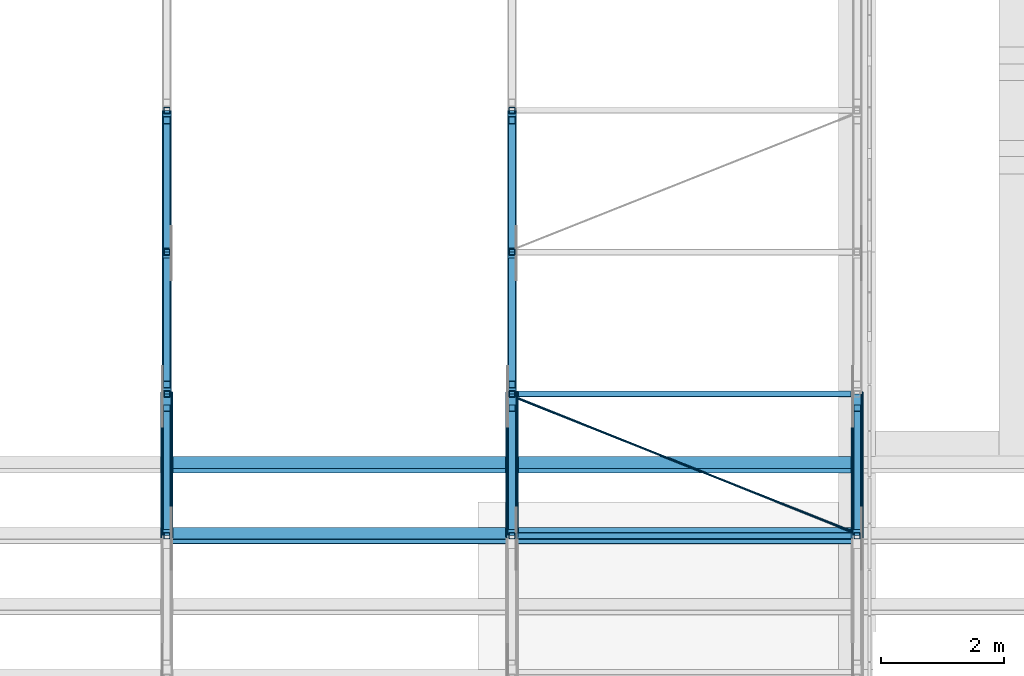
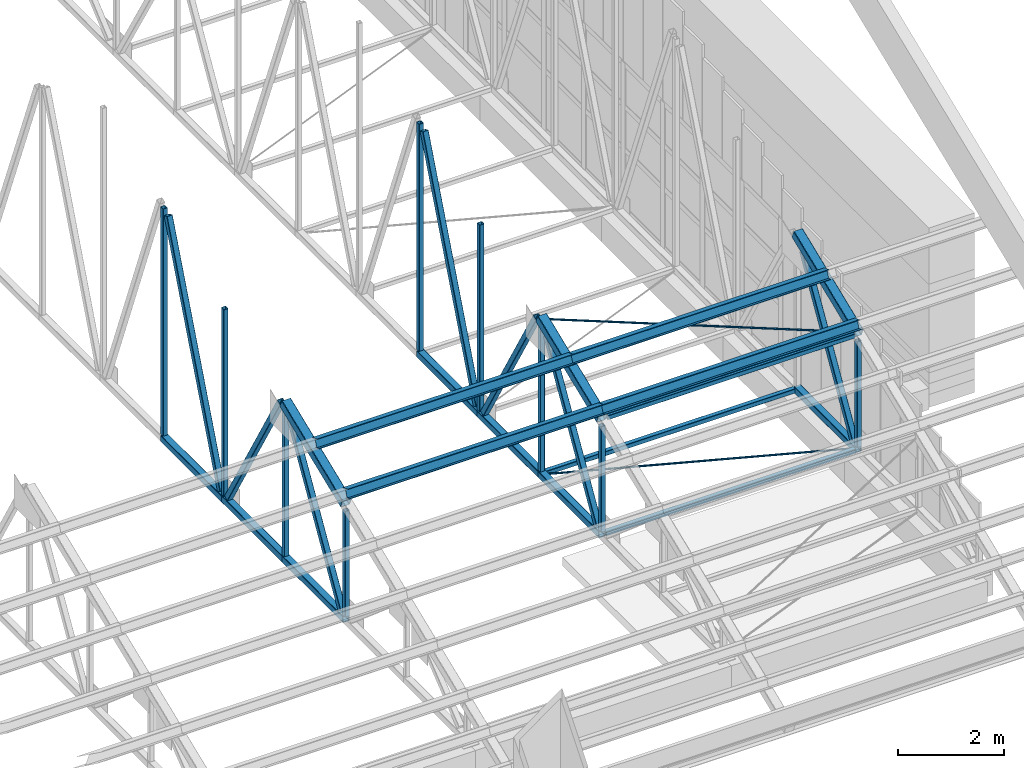
# One storey, part 23 of 71: 35 members.
"""IFC4 building model written with IfcOpenShell, lengths in metres."""

from ifc_helpers import new_model, si_unit, direction, frame, origin, origin_2d, place, context, subcontext, project, spatial, hollow_rectangle, circle, i_section, extrude, material, material_profile, profile_set, type_object, element, save


model = new_model("IFC4")

# Units and contexts
model_context = context("Model", 3, precision=1e-05, world=origin(), true_north=direction((0.0, 1.0)))
body_context = subcontext(model_context, "Body", "Model", "MODEL_VIEW")
ifc_project = project(units=[si_unit("LENGTHUNIT", "METRE"), si_unit("AREAUNIT", "SQUARE_METRE"), si_unit("VOLUMEUNIT", "CUBIC_METRE"), si_unit("PLANEANGLEUNIT", "RADIAN"), si_unit("MASSUNIT", "GRAM", prefix="KILO")], contexts=[model_context])

# Site, building, storey
site_placement = place(None, origin())
site = spatial("IfcSite", under=ifc_project, at=site_placement, CompositionType="ELEMENT")
building_placement = place(site_placement, origin())
building = spatial("IfcBuilding", under=site, at=building_placement, Name="Wasatch Bagh Community Centre", CompositionType="ELEMENT")
storey_placement = place(building_placement, frame((0.0, 0.0, 12.60009765625)))
storey = spatial("IfcBuildingStorey", under=building, at=storey_placement, Name="L03", CompositionType="ELEMENT", Elevation=12.60009765625)

# Members
ifc_material_1 = material(Name="ASTM A500 Grade C steel", Category="steel")
ifc_material_profile_1 = material_profile(ifc_material_1, hollow_rectangle(XDim=0.1015625, YDim=0.1015625, WallThickness=0.005859375, InnerFilletRadius=0.005859375, OuterFilletRadius=0.01171875, at=origin_2d()), Name="HSS4x4x1/4")
ifc_profile_set_1 = profile_set([ifc_material_profile_1], Name="ASTM A500 Grade C steel")
member_type_1 = type_object("IfcMemberType", Name="SH HSS4x4x1/4 post", PredefinedType="POST", material=ifc_profile_set_1)
member_1_placement = place(storey_placement, frame((134.60009765625, 42.800048828125, 0.76220703125), z_axis=(0.0, 0.0, 1.0), x_axis=(1.0, 0.0, 0.0)))
element("IfcMember", 1, at=member_1_placement, inside=storey, type_object=member_type_1, Name="SH.SA5.PS03", PredefinedType="POST", context=body_context, shape_type="SweptSolid", body=[
    extrude(hollow_rectangle(XDim=0.1015625, YDim=0.1015625, WallThickness=0.005859375, InnerFilletRadius=0.005859375, OuterFilletRadius=0.01171875, at=origin_2d()), origin(), (0.0, 0.0, 1.0), 2.44189453125),
])
member_2_placement = place(storey_placement, frame((134.60009765625, 45.10009765625, 0.76220703125), z_axis=(0.0, 0.0, 1.0), x_axis=(1.0, 0.0, 0.0)))
element("IfcMember", 2, at=member_2_placement, inside=storey, type_object=member_type_1, Name="SH.SA5.PS04", PredefinedType="POST", context=body_context, shape_type="SweptSolid", body=[
    extrude(hollow_rectangle(XDim=0.1015625, YDim=0.1015625, WallThickness=0.005859375, InnerFilletRadius=0.005859375, OuterFilletRadius=0.01171875, at=origin_2d()), origin(), (0.0, 0.0, 1.0), 3.37890625),
])
member_3_placement = place(storey_placement, frame((134.60009765625, 47.39990234375, 0.76220703125), z_axis=(0.0, 0.0, 1.0), x_axis=(1.0, 0.0, 0.0)))
element("IfcMember", 3, at=member_3_placement, inside=storey, type_object=member_type_1, Name="SH.SA5.PS05", PredefinedType="POST", context=body_context, shape_type="SweptSolid", body=[
    extrude(hollow_rectangle(XDim=0.1015625, YDim=0.1015625, WallThickness=0.005859375, InnerFilletRadius=0.005859375, OuterFilletRadius=0.01171875, at=origin_2d()), origin(), (0.0, 0.0, 1.0), 4.316162109375),
])
member_4_placement = place(storey_placement, frame((134.60009765625, 49.699951171875, 0.76220703125), z_axis=(0.0, 0.0, 1.0), x_axis=(1.0, 0.0, 0.0)))
element("IfcMember", 4, at=member_4_placement, inside=storey, type_object=member_type_1, Name="SH.SA5.PS06", PredefinedType="POST", context=body_context, shape_type="SweptSolid", body=[
    extrude(hollow_rectangle(XDim=0.1015625, YDim=0.1015625, WallThickness=0.005859375, InnerFilletRadius=0.005859375, OuterFilletRadius=0.01171875, at=origin_2d()), origin(), (0.0, 0.0, 1.0), 5.25341796875),
])
member_5_placement = place(storey_placement, frame((140.199951171875, 42.800048828125, 0.76220703125), z_axis=(0.0, 0.0, 1.0), x_axis=(1.0, 0.0, 0.0)))
element("IfcMember", 5, at=member_5_placement, inside=storey, type_object=member_type_1, Name="SH.SA6.PS03", PredefinedType="POST", context=body_context, shape_type="SweptSolid", body=[
    extrude(hollow_rectangle(XDim=0.1015625, YDim=0.1015625, WallThickness=0.005859375, InnerFilletRadius=0.005859375, OuterFilletRadius=0.01171875, at=origin_2d()), origin(), (0.0, 0.0, 1.0), 2.44189453125),
])
member_6_placement = place(storey_placement, frame((140.199951171875, 45.10009765625, 0.76220703125), z_axis=(0.0, 0.0, 1.0), x_axis=(1.0, 0.0, 0.0)))
element("IfcMember", 6, at=member_6_placement, inside=storey, type_object=member_type_1, Name="SH.SA6.PS04", PredefinedType="POST", context=body_context, shape_type="SweptSolid", body=[
    extrude(hollow_rectangle(XDim=0.1015625, YDim=0.1015625, WallThickness=0.005859375, InnerFilletRadius=0.005859375, OuterFilletRadius=0.01171875, at=origin_2d()), origin(), (0.0, 0.0, 1.0), 3.37890625),
])
member_7_placement = place(storey_placement, frame((140.199951171875, 47.39990234375, 0.76220703125), z_axis=(0.0, 0.0, 1.0), x_axis=(1.0, 0.0, 0.0)))
element("IfcMember", 7, at=member_7_placement, inside=storey, type_object=member_type_1, Name="SH.SA6.PS05", PredefinedType="POST", context=body_context, shape_type="SweptSolid", body=[
    extrude(hollow_rectangle(XDim=0.1015625, YDim=0.1015625, WallThickness=0.005859375, InnerFilletRadius=0.005859375, OuterFilletRadius=0.01171875, at=origin_2d()), origin(), (0.0, 0.0, 1.0), 4.316162109375),
])
member_8_placement = place(storey_placement, frame((140.199951171875, 49.699951171875, 0.76220703125), z_axis=(0.0, 0.0, 1.0), x_axis=(1.0, 0.0, 0.0)))
element("IfcMember", 8, at=member_8_placement, inside=storey, type_object=member_type_1, Name="SH.SA6.PS06", PredefinedType="POST", context=body_context, shape_type="SweptSolid", body=[
    extrude(hollow_rectangle(XDim=0.1015625, YDim=0.1015625, WallThickness=0.005859375, InnerFilletRadius=0.005859375, OuterFilletRadius=0.01171875, at=origin_2d()), origin(), (0.0, 0.0, 1.0), 5.25341796875),
])
member_9_placement = place(storey_placement, frame((145.800048828125, 42.800048828125, 0.76220703125), z_axis=(0.0, 0.0, 1.0), x_axis=(1.0, 0.0, 0.0)))
element("IfcMember", 9, at=member_9_placement, inside=storey, type_object=member_type_1, Name="SH.SA7.PS03", PredefinedType="POST", context=body_context, shape_type="SweptSolid", body=[
    extrude(hollow_rectangle(XDim=0.1015625, YDim=0.1015625, WallThickness=0.005859375, InnerFilletRadius=0.005859375, OuterFilletRadius=0.01171875, at=origin_2d()), origin(), (0.0, 0.0, 1.0), 2.44189453125),
])
ifc_material_profile_2 = material_profile(ifc_material_1, hollow_rectangle(XDim=0.1015625, YDim=0.1015625, WallThickness=0.005859375, InnerFilletRadius=0.005859375, OuterFilletRadius=0.01171875, at=origin_2d()), Name="HSS4x4x1/4")
ifc_profile_set_2 = profile_set([ifc_material_profile_2], Name="ASTM A500 Grade C steel")
member_type_2 = type_object("IfcMemberType", Name="SH HSS4x4x1/4 strut", PredefinedType="STRUT", material=ifc_profile_set_2)
member_10_placement = place(storey_placement, frame((140.29541015625, 42.800048828125, 3.35888671875), z_axis=(1.0, 0.0, 0.0), x_axis=(0.0, 1.0, 0.0)))
element("IfcMember", 10, at=member_10_placement, inside=storey, type_object=member_type_2, Name="SH.BR.eT.ST03W", PredefinedType="STRUT", context=body_context, shape_type="SweptSolid", body=[
    extrude(hollow_rectangle(XDim=0.1015625, YDim=0.1015625, WallThickness=0.005859375, InnerFilletRadius=0.005859375, OuterFilletRadius=0.01171875, at=origin_2d()), origin(), (0.0, 0.0, 1.0), 5.4091796875),
])
for number, where, z_axis, x_axis, name in (
    (11, (140.27001953125, 42.800048828125, 0.68603515625), (1.0, 0.0, 0.0), (0.0, 1.0, 0.0), "SH.BR.eB.ST03W"),
    (12, (140.27001953125, 45.10009765625, 0.68603515625), (1.0, 0.0, 0.0), (0.0, 1.0, 0.0), "SH.BR.eB.ST03E"),
):
    element("IfcMember", number, at=place(storey_placement, frame(where, z_axis=z_axis, x_axis=x_axis)), inside=storey, type_object=member_type_2, Name=name, PredefinedType="STRUT", context=body_context, shape_type="SweptSolid", body=[
        extrude(hollow_rectangle(XDim=0.1015625, YDim=0.1015625, WallThickness=0.005859375, InnerFilletRadius=0.005859375, OuterFilletRadius=0.01171875, at=origin_2d()), origin(), (0.0, 0.0, 1.0), 5.4599609375),
    ])
ifc_material_profile_3 = material_profile(ifc_material_1, hollow_rectangle(XDim=0.126953125, YDim=0.126953125, WallThickness=0.00732421875, InnerFilletRadius=0.00732421875, OuterFilletRadius=0.0146484375, at=origin_2d()), Name="HSS5x5x5/16")
ifc_profile_set_3 = profile_set([ifc_material_profile_3], Name="ASTM A500 Grade C steel")
member_type_3 = type_object("IfcMemberType", Name="SH HSS5x5x5/16 brace", PredefinedType="BRACE", material=ifc_profile_set_3)
member_11_placement = place(storey_placement, frame((134.60009765625, 42.953857421875, 0.795166015625), z_axis=(0.0, 0.5113669513, 0.859362462014), x_axis=(-1.0, 0.0, 0.0)))
element("IfcMember", 13, at=member_11_placement, inside=storey, type_object=member_type_3, Name="SH.SA5.WB03", PredefinedType="BRACE", context=body_context, shape_type="SweptSolid", body=[
    extrude(hollow_rectangle(XDim=0.126953125, YDim=0.126953125, WallThickness=0.00732421875, InnerFilletRadius=0.00732421875, OuterFilletRadius=0.0146484375, at=origin_2d()), origin(), (0.0, 0.0, 1.0), 3.744873046875),
])
member_12_placement = place(storey_placement, frame((134.60009765625, 47.24755859375, 0.794677734375), z_axis=(0.0, -0.50383651599, 0.863799030536), x_axis=(1.0, 0.0, 0.0)))
element("IfcMember", 14, at=member_12_placement, inside=storey, type_object=member_type_3, Name="SH.SA5.WB04", PredefinedType="BRACE", context=body_context, shape_type="SweptSolid", body=[
    extrude(hollow_rectangle(XDim=0.126953125, YDim=0.126953125, WallThickness=0.00732421875, InnerFilletRadius=0.00732421875, OuterFilletRadius=0.0146484375, at=origin_2d()), origin(), (0.0, 0.0, 1.0), 3.958984375),
])
member_13_placement = place(storey_placement, frame((134.60009765625, 47.52490234375, 0.785888671875), z_axis=(0.0, 0.365198017435, 0.930929862053), x_axis=(-1.0, 0.0, 0.0)))
element("IfcMember", 15, at=member_13_placement, inside=storey, type_object=member_type_3, Name="SH.SA5.WB05", PredefinedType="BRACE", context=body_context, shape_type="SweptSolid", body=[
    extrude(hollow_rectangle(XDim=0.126953125, YDim=0.126953125, WallThickness=0.00732421875, InnerFilletRadius=0.00732421875, OuterFilletRadius=0.0146484375, at=origin_2d()), origin(), (0.0, 0.0, 1.0), 5.52001953125),
])
member_14_placement = place(storey_placement, frame((140.199951171875, 42.953857421875, 0.795166015625), z_axis=(0.0, 0.5113669513, 0.859362462014), x_axis=(-1.0, 0.0, 0.0)))
element("IfcMember", 16, at=member_14_placement, inside=storey, type_object=member_type_3, Name="SH.SA6.WB03", PredefinedType="BRACE", context=body_context, shape_type="SweptSolid", body=[
    extrude(hollow_rectangle(XDim=0.126953125, YDim=0.126953125, WallThickness=0.00732421875, InnerFilletRadius=0.00732421875, OuterFilletRadius=0.0146484375, at=origin_2d()), origin(), (0.0, 0.0, 1.0), 3.744873046875),
])
member_15_placement = place(storey_placement, frame((140.199951171875, 47.24755859375, 0.794677734375), z_axis=(0.0, -0.50383651599, 0.863799030536), x_axis=(1.0, 0.0, 0.0)))
element("IfcMember", 17, at=member_15_placement, inside=storey, type_object=member_type_3, Name="SH.SA6.WB04", PredefinedType="BRACE", context=body_context, shape_type="SweptSolid", body=[
    extrude(hollow_rectangle(XDim=0.126953125, YDim=0.126953125, WallThickness=0.00732421875, InnerFilletRadius=0.00732421875, OuterFilletRadius=0.0146484375, at=origin_2d()), origin(), (0.0, 0.0, 1.0), 3.958984375),
])
member_16_placement = place(storey_placement, frame((140.199951171875, 47.52490234375, 0.785888671875), z_axis=(0.0, 0.365198017435, 0.930929862053), x_axis=(-1.0, 0.0, 0.0)))
element("IfcMember", 18, at=member_16_placement, inside=storey, type_object=member_type_3, Name="SH.SA6.WB05", PredefinedType="BRACE", context=body_context, shape_type="SweptSolid", body=[
    extrude(hollow_rectangle(XDim=0.126953125, YDim=0.126953125, WallThickness=0.00732421875, InnerFilletRadius=0.00732421875, OuterFilletRadius=0.0146484375, at=origin_2d()), origin(), (0.0, 0.0, 1.0), 5.52001953125),
])
member_17_placement = place(storey_placement, frame((145.800048828125, 42.953857421875, 0.795166015625), z_axis=(0.0, 0.5113669513, 0.859362462014), x_axis=(-1.0, 0.0, 0.0)))
element("IfcMember", 19, at=member_17_placement, inside=storey, type_object=member_type_3, Name="SH.SA7.WB03", PredefinedType="BRACE", context=body_context, shape_type="SweptSolid", body=[
    extrude(hollow_rectangle(XDim=0.126953125, YDim=0.126953125, WallThickness=0.00732421875, InnerFilletRadius=0.00732421875, OuterFilletRadius=0.0146484375, at=origin_2d()), origin(), (0.0, 0.0, 1.0), 3.744873046875),
])
ifc_material_profile_4 = material_profile(ifc_material_1, hollow_rectangle(XDim=0.15234375, YDim=0.15234375, WallThickness=0.0087890625, InnerFilletRadius=0.0087890625, OuterFilletRadius=0.017822265625, at=origin_2d()), Name="HSS6x6x3/8")
ifc_profile_set_4 = profile_set([ifc_material_profile_4], Name="ASTM A500 Grade C steel")
member_type_4 = type_object("IfcMemberType", Name="SH HSS6x6x3/8 chord", PredefinedType="CHORD", material=ifc_profile_set_4)
member_18_placement = place(storey_placement, frame((134.60009765625, 42.800048828125, 0.68603515625), z_axis=(0.0, 1.0, 0.0), x_axis=(-1.0, 0.0, 0.0)))
element("IfcMember", 20, at=member_18_placement, inside=storey, type_object=member_type_4, Name="SH.SA5.BC03", PredefinedType="CHORD", context=body_context, shape_type="SweptSolid", body=[
    extrude(hollow_rectangle(XDim=0.15234375, YDim=0.15234375, WallThickness=0.0087890625, InnerFilletRadius=0.0087890625, OuterFilletRadius=0.017822265625, at=origin_2d()), origin(), (0.0, 0.0, 1.0), 2.300048828125),
])
member_19_placement = place(storey_placement, frame((134.60009765625, 45.10009765625, 0.68603515625), z_axis=(0.0, 1.0, 0.0), x_axis=(-1.0, 0.0, 0.0)))
element("IfcMember", 21, at=member_19_placement, inside=storey, type_object=member_type_4, Name="SH.SA5.BC04", PredefinedType="CHORD", context=body_context, shape_type="SweptSolid", body=[
    extrude(hollow_rectangle(XDim=0.15234375, YDim=0.15234375, WallThickness=0.0087890625, InnerFilletRadius=0.0087890625, OuterFilletRadius=0.017822265625, at=origin_2d()), origin(), (0.0, 0.0, 1.0), 2.2998046875),
])
for number, where, z_axis, x_axis, name in (
    (22, (134.60009765625, 47.39990234375, 0.68603515625), (0.0, 1.0, 0.0), (-1.0, 0.0, 0.0), "SH.SA5.BC05"),
    (23, (140.199951171875, 42.800048828125, 0.68603515625), (0.0, 1.0, 0.0), (-1.0, 0.0, 0.0), "SH.SA6.BC03"),
):
    element("IfcMember", number, at=place(storey_placement, frame(where, z_axis=z_axis, x_axis=x_axis)), inside=storey, type_object=member_type_4, Name=name, PredefinedType="CHORD", context=body_context, shape_type="SweptSolid", body=[
        extrude(hollow_rectangle(XDim=0.15234375, YDim=0.15234375, WallThickness=0.0087890625, InnerFilletRadius=0.0087890625, OuterFilletRadius=0.017822265625, at=origin_2d()), origin(), (0.0, 0.0, 1.0), 2.300048828125),
    ])
member_20_placement = place(storey_placement, frame((140.199951171875, 45.10009765625, 0.68603515625), z_axis=(0.0, 1.0, 0.0), x_axis=(-1.0, 0.0, 0.0)))
element("IfcMember", 24, at=member_20_placement, inside=storey, type_object=member_type_4, Name="SH.SA6.BC04", PredefinedType="CHORD", context=body_context, shape_type="SweptSolid", body=[
    extrude(hollow_rectangle(XDim=0.15234375, YDim=0.15234375, WallThickness=0.0087890625, InnerFilletRadius=0.0087890625, OuterFilletRadius=0.017822265625, at=origin_2d()), origin(), (0.0, 0.0, 1.0), 2.2998046875),
])
for number, where, z_axis, x_axis, name in (
    (25, (140.199951171875, 47.39990234375, 0.68603515625), (0.0, 1.0, 0.0), (-1.0, 0.0, 0.0), "SH.SA6.BC05"),
    (26, (145.800048828125, 42.800048828125, 0.68603515625), (0.0, 1.0, 0.0), (-1.0, 0.0, 0.0), "SH.SA7.BC03"),
):
    element("IfcMember", number, at=place(storey_placement, frame(where, z_axis=z_axis, x_axis=x_axis)), inside=storey, type_object=member_type_4, Name=name, PredefinedType="CHORD", context=body_context, shape_type="SweptSolid", body=[
        extrude(hollow_rectangle(XDim=0.15234375, YDim=0.15234375, WallThickness=0.0087890625, InnerFilletRadius=0.0087890625, OuterFilletRadius=0.017822265625, at=origin_2d()), origin(), (0.0, 0.0, 1.0), 2.300048828125),
    ])
ifc_material_profile_5 = material_profile(ifc_material_1, hollow_rectangle(XDim=0.203125, YDim=0.203125, WallThickness=0.01171875, InnerFilletRadius=0.01171875, OuterFilletRadius=0.023681640625, at=origin_2d()), Name="HSS8x8x1/2")
ifc_profile_set_5 = profile_set([ifc_material_profile_5], Name="ASTM A500 Grade C steel")
member_type_5 = type_object("IfcMemberType", Name="SH HSS8x8x1/2 chord", PredefinedType="CHORD", material=ifc_profile_set_5)
for number, where, z_axis, x_axis, name in (
    (27, (134.60009765625, 42.800537109375, 3.359130859375), (0.0, 0.92720830339, 0.374546074769), (-1.0, 0.0, 0.0), "SH.SA5.TC04"),
    (28, (140.199951171875, 42.800537109375, 3.359130859375), (0.0, 0.92720830339, 0.374546074769), (-1.0, 0.0, 0.0), "SH.SA6.TC04"),
    (29, (145.800048828125, 42.800537109375, 3.359130859375), (0.0, 0.92720830339, 0.374546074769), (-1.0, 0.0, 0.0), "SH.SA7.TC04"),
):
    element("IfcMember", number, at=place(storey_placement, frame(where, z_axis=z_axis, x_axis=x_axis)), inside=storey, type_object=member_type_5, Name=name, PredefinedType="CHORD", context=body_context, shape_type="SweptSolid", body=[
        extrude(hollow_rectangle(XDim=0.203125, YDim=0.203125, WallThickness=0.01171875, InnerFilletRadius=0.01171875, OuterFilletRadius=0.023681640625, at=origin_2d()), origin(), (0.0, 0.0, 1.0), 2.4794921875),
    ])
ifc_material_2 = material(Name="ASTM A572 Grade 50 steel", Category="steel")
ifc_material_profile_6 = material_profile(ifc_material_2, circle(Radius=0.01611328125, at=origin_2d()), Name="ROD 32")
ifc_profile_set_6 = profile_set([ifc_material_profile_6], Name="ASTM A572 Grade 50 steel")
member_type_6 = type_object("IfcMemberType", Name="SH ROD 32 brace", PredefinedType="BRACE", material=ifc_profile_set_6)
member_21_placement = place(storey_placement, frame((140.3037109375, 45.03125, 4.26025390625), z_axis=(0.917830247713, -0.368079515313, -0.148677862474), x_axis=(0.372216447055, 0.928145956486, 0.0)))
element("IfcMember", 30, at=member_21_placement, inside=storey, type_object=member_type_6, Name="SH.BR.eT.DG03", PredefinedType="BRACE", context=body_context, shape_type="SweptSolid", body=[
    extrude(circle(Radius=0.01611328125, at=origin_2d()), origin(), (0.0, 0.0, 1.0), 5.875244140625),
])
member_22_placement = place(storey_placement, frame((140.27587890625, 45.0322265625, 0.68603515625), z_axis=(0.929355805049, -0.369185302553, 0.0), x_axis=(0.369185302553, 0.929355805049, 0.0)))
element("IfcMember", 31, at=member_22_placement, inside=storey, type_object=member_type_6, Name="SH.BR.eB.DG03", PredefinedType="BRACE", context=body_context, shape_type="SweptSolid", body=[
    extrude(circle(Radius=0.01611328125, at=origin_2d()), origin(), (0.0, 0.0, 1.0), 5.8623046875),
])
ifc_material_3 = material(Name="ASTM A992 Grade 50 steel", Category="steel")
ifc_material_profile_7 = material_profile(ifc_material_3, i_section(OverallWidth=0.203125, OverallDepth=0.203125, WebThickness=0.00732421875, FlangeThickness=0.010986328125, at=origin_2d()), Name="W8x31")
ifc_profile_set_7 = profile_set([ifc_material_profile_7], Name="ASTM A992 Grade 50 steel")
member_type_7 = type_object("IfcMemberType", Name="SH W8x31 purlin", PredefinedType="PURLIN", material=ifc_profile_set_7)
for number, where, z_axis, x_axis, name in (
    (32, (134.60009765625, 42.800048828125, 3.577880859375), (1.0, 0.0, 0.0), (0.0, 0.927183854567, -0.374606593416), "SH.PUR.b5.PU08"),
    (33, (134.60009765625, 43.949951171875, 4.042724609375), (1.0, 0.0, 0.0), (0.0, 0.927183854567, -0.374606593416), "SH.PUR.b5.PU09"),
):
    element("IfcMember", number, at=place(storey_placement, frame(where, z_axis=z_axis, x_axis=x_axis)), inside=storey, type_object=member_type_7, Name=name, PredefinedType="PURLIN", context=body_context, shape_type="SweptSolid", body=[
        extrude(i_section(OverallWidth=0.203125, OverallDepth=0.203125, WebThickness=0.00732421875, FlangeThickness=0.010986328125, at=origin_2d()), origin(), (0.0, 0.0, 1.0), 5.599853515625),
    ])
for number, where, z_axis, x_axis, name in (
    (34, (140.199951171875, 42.800048828125, 3.577880859375), (1.0, 0.0, 0.0), (0.0, 0.927183854567, -0.374606593416), "SH.PUR.b6.PU08"),
    (35, (140.199951171875, 43.949951171875, 4.042724609375), (1.0, 0.0, 0.0), (0.0, 0.927183854567, -0.374606593416), "SH.PUR.b6.PU09"),
):
    element("IfcMember", number, at=place(storey_placement, frame(where, z_axis=z_axis, x_axis=x_axis)), inside=storey, type_object=member_type_7, Name=name, PredefinedType="PURLIN", context=body_context, shape_type="SweptSolid", body=[
        extrude(i_section(OverallWidth=0.203125, OverallDepth=0.203125, WebThickness=0.00732421875, FlangeThickness=0.010986328125, at=origin_2d()), origin(), (0.0, 0.0, 1.0), 5.60009765625),
    ])

save(model, "model.ifc")
